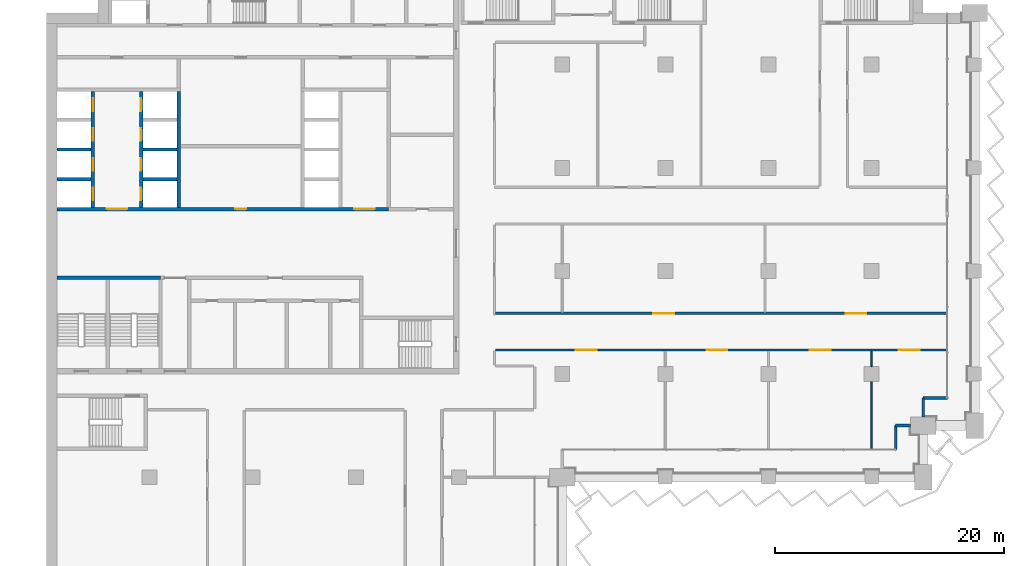
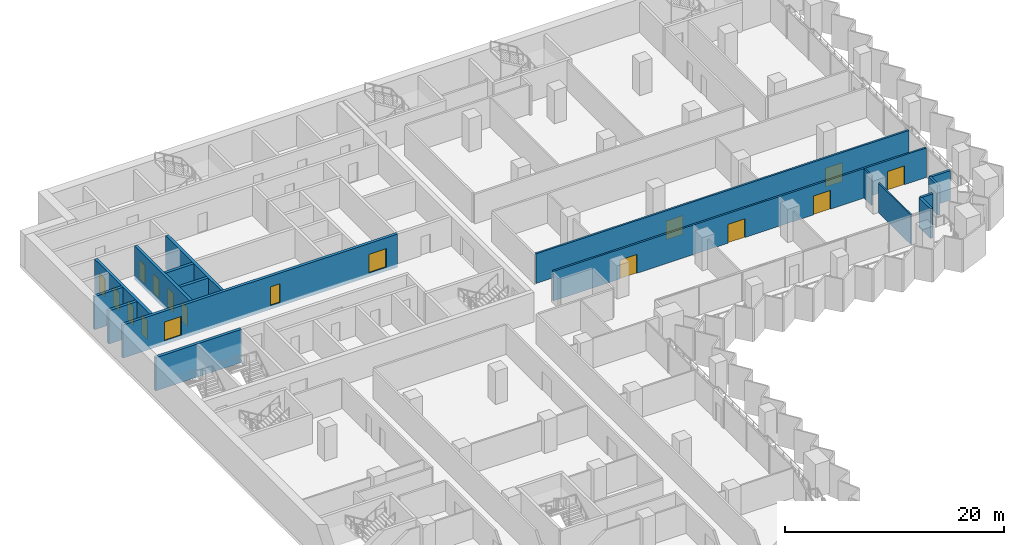
# One storey, part 12 of 23: 17 doors, 17 walls, 17 openings.
"""IFC4 building model written with IfcOpenShell, lengths in metres."""

import ifcopenshell
import ifcopenshell.guid

model = None  # the IFC model being written
_history = None  # IfcOwnerHistory: only IFC2X3 demands one
_inside = {}  # id of a spatial element -> (the spatial element, [elements in it])
_under = {}  # id of a project, library or spatial element -> (it, [spatial elements below it])
_declared = {}  # id of a project -> (the project, [libraries it declares])
_typed = {}  # id of a type object -> (the type object, [elements of that type])
_made_of = {}  # id of a material, layer set ... -> (it, [elements and type objects made of it])


def new_model(schema):
    """Start an empty IFC model of exactly this schema.

    Asked for "IFC4X3", IfcOpenShell would pick the latest addendum, in which some entities
    have other attributes; the version numbers below select the first issue.
    IFC2X3 requires an IfcOwnerHistory on every rooted entity: one is made here for all.
    """
    global model, _history
    if schema == "IFC4X3":
        model = ifcopenshell.file(schema_version=(4, 3, 0, 0))
    else:
        model = ifcopenshell.file(schema=schema)
    _inside.clear()
    _under.clear()
    _declared.clear()
    _typed.clear()
    _made_of.clear()
    _history = None
    if model.schema == "IFC2X3":
        org = make("IfcOrganization", Name="unknown")
        user = make(
            "IfcPersonAndOrganization",
            ThePerson=make("IfcPerson", FamilyName="unknown"),
            TheOrganization=org,
        )
        app = make(
            "IfcApplication",
            ApplicationDeveloper=org,
            Version="unknown",
            ApplicationFullName="unknown",
            ApplicationIdentifier="unknown",
        )
        _history = make(
            "IfcOwnerHistory",
            OwningUser=user,
            OwningApplication=app,
            ChangeAction="ADDED",
            CreationDate=0,
        )
    return model


def make(cls, **values):
    """One entity of the class cls with the attributes given. An attribute that is None is left unset."""
    return model.create_entity(
        cls, **{name: value for name, value in values.items() if value is not None}
    )


def rooted(cls, **values):
    """An entity with a GlobalId (a new one), such as an element, a storey or a relation."""
    return make(cls, GlobalId=ifcopenshell.guid.new(), OwnerHistory=_history, **values)


def si_unit(unit_type, name, prefix=None):
    """IfcSIUnit, for example si_unit("LENGTHUNIT", "METRE", prefix="MILLI")."""
    return make("IfcSIUnit", UnitType=unit_type, Prefix=prefix, Name=name)


def assignment(units):
    """IfcUnitAssignment: the units of a project."""
    return None if units is None else make("IfcUnitAssignment", Units=units)


def point(xyz):
    """IfcCartesianPoint."""
    return None if xyz is None else make("IfcCartesianPoint", Coordinates=xyz)


def direction(xyz):
    """IfcDirection."""
    return None if xyz is None else make("IfcDirection", DirectionRatios=xyz)


def frame(location, z_axis=None, x_axis=None):
    """IfcAxis2Placement3D, a coordinate frame: its origin and axes. An axis left out is left unset."""
    return make(
        "IfcAxis2Placement3D",
        Location=point(location),
        Axis=direction(z_axis),
        RefDirection=direction(x_axis),
    )


def frame_2d(location, x_axis=None):
    """IfcAxis2Placement2D, a coordinate frame in the plane: its origin and x axis."""
    return make(
        "IfcAxis2Placement2D", Location=point(location), RefDirection=direction(x_axis)
    )


def origin():
    """The frame at (0, 0, 0) with its axes left unset."""
    return frame((0.0, 0.0, 0.0))


def place(relative_to, where):
    """IfcLocalPlacement: puts the frame where relative to a parent placement (None: the world)."""
    return make(
        "IfcLocalPlacement", PlacementRelTo=relative_to, RelativePlacement=where
    )


def context(
    kind, dimensions, precision=None, world=None, true_north=None, identifier=None
):
    """IfcGeometricRepresentationContext, for example the 3D "Model" context."""
    return make(
        "IfcGeometricRepresentationContext",
        ContextIdentifier=identifier,
        ContextType=kind,
        CoordinateSpaceDimension=dimensions,
        Precision=precision,
        WorldCoordinateSystem=world,
        TrueNorth=true_north,
    )


def subcontext(parent, identifier, kind, view, scale=None):
    """IfcGeometricRepresentationSubContext, for example "Body" below "Model"."""
    return make(
        "IfcGeometricRepresentationSubContext",
        ContextIdentifier=identifier,
        ContextType=kind,
        ParentContext=parent,
        TargetScale=scale,
        TargetView=view,
    )


def project(units=None, contexts=None):
    """IfcProject with its units and contexts."""
    return rooted(
        "IfcProject",
        Name="project",
        RepresentationContexts=contexts,
        UnitsInContext=assignment(units),
    )


def spatial(cls, under=None, at=None, **own):
    """A site, building, storey or space (cls), placed at a placement, below another one or the project."""
    s = rooted(cls, ObjectPlacement=at, **own)
    if under is not None:
        _under.setdefault(under.id(), (under, []))[1].append(s)
    return s


def profile(cls, at=None, kind="AREA", **sizes):
    """A parametric profile (cls). Its sizes go by their IFC names, for example OverallWidth=200.0."""
    return make(cls, ProfileType=kind, Position=at, **sizes)


def rectangle(**sizes):
    """IfcRectangleProfileDef."""
    return profile("IfcRectangleProfileDef", **sizes)


def extrude(swept, where, along, depth):
    """IfcExtrudedAreaSolid: the profile swept, set in the frame where, extruded along a direction by depth."""
    return make(
        "IfcExtrudedAreaSolid",
        SweptArea=swept,
        Position=where,
        ExtrudedDirection=direction(along),
        Depth=depth,
    )


def shape(context_of_items, identifier, shape_type, items):
    """IfcShapeRepresentation: the items that make up one representation, for example the "Body"."""
    return make(
        "IfcShapeRepresentation",
        ContextOfItems=context_of_items,
        RepresentationIdentifier=identifier,
        RepresentationType=shape_type,
        Items=items,
    )


def material(Name=None, Category=None):
    """IfcMaterial."""
    return make("IfcMaterial", Name=Name, Category=Category)


def layer(
    of_material, thickness, ventilated=None, Name=None, Category=None, Priority=None
):
    """IfcMaterialLayer: one layer of a wall or slab, of a material (None: an air gap)."""
    return make(
        "IfcMaterialLayer",
        Material=of_material,
        LayerThickness=thickness,
        IsVentilated=ventilated,
        Name=Name,
        Category=Category,
        Priority=Priority,
    )


def layer_set(layers, Name=None):
    """IfcMaterialLayerSet."""
    return make("IfcMaterialLayerSet", MaterialLayers=layers, LayerSetName=Name)


def made_of(thing, what):
    """Note that an element or type object is made of a material, layer set ...; save() writes the relation."""
    if what is not None:
        _made_of.setdefault(what.id(), (what, []))[1].append(thing)
    return thing


def type_object(cls, material=None, **own):
    """A type object (cls), such as IfcWallType, which elements share."""
    return made_of(rooted(cls, **own), material)


def element(
    cls,
    number,
    at=None,
    inside=None,
    cuts=None,
    type_object=None,
    material=None,
    context=None,
    identifier="Body",
    shape_type=None,
    held_by="IfcProductDefinitionShape",
    body=None,
    shapes=None,
    **own,
):
    """One element of the class cls, such as IfcWall. Its Tag is "e" and its number.

    at: its placement. inside: the storey or other place that contains it. cuts: it is an
    opening in that element (IfcRelVoidsElement). A single representation is given by context,
    identifier, shape_type and body (its items); several are given by shapes. held_by: the class
    of the entity that holds the representations. save() writes the other relations.
    """
    e = rooted(cls, Tag="e%d" % number, ObjectPlacement=at, **own)
    if body is not None:
        shapes = [shape(context, identifier, shape_type, body)]
    if shapes is not None:
        e.Representation = make(held_by, Representations=shapes)
    if inside is not None:
        _inside.setdefault(inside.id(), (inside, []))[1].append(e)
    if cuts is not None:
        rooted(
            "IfcRelVoidsElement", RelatingBuildingElement=cuts, RelatedOpeningElement=e
        )
    if type_object is not None:
        _typed.setdefault(type_object.id(), (type_object, []))[1].append(e)
    return made_of(e, material)


def fill(opening, filler):
    """IfcRelFillsElement: the door or window that sits in an opening."""
    return rooted(
        "IfcRelFillsElement",
        RelatingOpeningElement=opening,
        RelatedBuildingElement=filler,
    )


def aggregate(whole, parts):
    """IfcRelAggregates: a whole, such as a stair, and the parts it consists of."""
    return rooted("IfcRelAggregates", RelatingObject=whole, RelatedObjects=parts)


def save(model, path):
    """Write the relations noted so far, then the file.

    IfcRelAggregates (storeys below a building ...), IfcRelContainedInSpatialStructure (elements
    in a storey), IfcRelDefinesByType, IfcRelAssociatesMaterial and IfcRelDeclares: one each for
    every whole, place, type object, material and project.
    """
    for whole, parts in _under.values():
        aggregate(whole, parts)
    for where, things in _inside.values():
        rooted(
            "IfcRelContainedInSpatialStructure",
            RelatedElements=things,
            RelatingStructure=where,
        )
    for kind, things in _typed.values():
        rooted("IfcRelDefinesByType", RelatedObjects=things, RelatingType=kind)
    for what, things in _made_of.values():
        rooted("IfcRelAssociatesMaterial", RelatedObjects=things, RelatingMaterial=what)
    for by, libraries in _declared.values():
        rooted("IfcRelDeclares", RelatingContext=by, RelatedDefinitions=libraries)
    model.write(path)


model = new_model("IFC4")

# Units and contexts
model_context = context("Model", 3, precision=1e-05, world=origin(), true_north=direction((0.0, 1.0)))
body_context = subcontext(model_context, "Body", "Model", "MODEL_VIEW")
ifc_project = project(units=[si_unit("LENGTHUNIT", "METRE"), si_unit("AREAUNIT", "SQUARE_METRE"), si_unit("VOLUMEUNIT", "CUBIC_METRE"), si_unit("PLANEANGLEUNIT", "RADIAN"), si_unit("MASSUNIT", "GRAM", prefix="KILO")], contexts=[model_context])

# Site, building, storey
site_placement = place(None, origin())
site = spatial("IfcSite", under=ifc_project, at=site_placement, CompositionType="ELEMENT")
building_placement = place(site_placement, origin())
building = spatial("IfcBuilding", under=site, at=building_placement, Name="Hunhe Ridgeline Campus", CompositionType="ELEMENT")
storey_placement = place(building_placement, frame((0.0, 0.0, 107.0)))
storey = spatial("IfcBuildingStorey", under=building, at=storey_placement, Name="L26", CompositionType="ELEMENT", Elevation=107.0)

# Walls
ifc_material_1 = material(Name="Concrete C30", Category="concrete")
ifc_layer_1 = layer(ifc_material_1, 0.25)
ifc_layer_set_1 = layer_set([ifc_layer_1], Name="Corner return wall 250 Concrete C30")
wall_type_1 = type_object("IfcWallType", Name="Corner return wall 250 Concrete C30", PredefinedType="SOLIDWALL", material=ifc_layer_set_1)
wall_1_placement = place(storey_placement, frame((74.09912109375, 56.40087890625, 0.0), z_axis=(0.0, 0.0, 1.0), x_axis=(0.00011626555, 0.999999993241, 0.0)))
element("IfcWall", 1, at=wall_1_placement, inside=storey, type_object=wall_type_1, Name="Corner return wall 4", PredefinedType="SOLIDWALL", context=body_context, shape_type="SweptSolid", body=[
    extrude(rectangle(XDim=2.099853515625, YDim=0.25, at=frame_2d((1.0498046875, 0.0))), origin(), (0.0, 0.0, 1.0), 3.300048828125),
])
wall_2_placement = place(storey_placement, frame((74.099365234375, 58.500732421875, 0.0), z_axis=(0.0, 0.0, 1.0), x_axis=(0.99999998238, 0.000187722918, 0.0)))
element("IfcWall", 2, at=wall_2_placement, inside=storey, type_object=wall_type_1, Name="Corner return wall 5", PredefinedType="SOLIDWALL", context=body_context, shape_type="SweptSolid", body=[
    extrude(rectangle(XDim=1.300537109375, YDim=0.25, at=frame_2d((0.650390625, 0.0))), origin(), (0.0, 0.0, 1.0), 3.300048828125),
])
wall_3_placement = place(storey_placement, frame((76.4990234375, 59.25, 0.0), z_axis=(0.0, 0.0, 1.0), x_axis=(0.000147907113, 0.999999989062, 0.0)))
element("IfcWall", 3, at=wall_3_placement, inside=storey, type_object=wall_type_1, Name="Corner return wall 6", PredefinedType="SOLIDWALL", context=body_context, shape_type="SweptSolid", body=[
    extrude(rectangle(XDim=1.650634765625, YDim=0.25, at=frame_2d((0.8251953125, 0.0))), origin(), (0.0, 0.0, 1.0), 3.300048828125),
])
wall_4_placement = place(storey_placement, frame((76.499267578125, 60.900634765625, 0.0), z_axis=(0.0, 0.0, 1.0), x_axis=(0.999999993241, 0.00011626555, 0.0)))
element("IfcWall", 4, at=wall_4_placement, inside=storey, type_object=wall_type_1, Name="Corner return wall 7", PredefinedType="SOLIDWALL", context=body_context, shape_type="SweptSolid", body=[
    extrude(rectangle(XDim=2.099853515625, YDim=0.25, at=frame_2d((1.0498046875, 0.0))), origin(), (0.0, 0.0, 1.0), 3.300048828125),
])

# Wall, openings, doors
ifc_material_2 = material(Name="Gypsum board partition")
ifc_layer_2 = layer(ifc_material_2, 0.199951171875)
ifc_layer_set_2 = layer_set([ifc_layer_2], Name="Corridor partition 200 gypsum board on steel studs")
wall_type_2 = type_object("IfcWallType", Name="Corridor partition 200 gypsum board on steel studs", PredefinedType="PARTITIONING", material=ifc_layer_set_2)
wall_5_placement = place(storey_placement, frame((78.544921875, 65.10009765625, 0.0), z_axis=(0.0, 0.0, 1.0), x_axis=(-1.0, 0.0, 0.0)))
wall_5 = element("IfcWall", 5, at=wall_5_placement, inside=storey, type_object=wall_type_2, Name="F-L26-wall-032", PredefinedType="PARTITIONING", context=body_context, shape_type="SweptSolid", body=[
    extrude(rectangle(XDim=39.344970703125, YDim=0.199951171875, at=frame_2d((19.67236328125, 0.0))), origin(), (0.0, 0.0, 1.0), 3.300048828125),
])
opening_1_placement = place(wall_5_placement, frame((30.552001953125, 0.0, 0.0)))
opening_1 = element("IfcOpeningElement", 6, at=opening_1_placement, cuts=wall_5, Name="Opening RD2-019", PredefinedType="OPENING", context=body_context, shape_type="SweptSolid", body=[
    extrude(rectangle(XDim=1.800048828125, YDim=2.10009765625, at=frame_2d((0.89990234375, 1.050048828125))), frame((0.0, 0.10009765625, 0.0), z_axis=(0.0, -1.0, 0.0), x_axis=(1.0, 0.0, 0.0)), (0.0, 0.0, 1.0), 0.199951171875),
])
opening_2_placement = place(wall_5_placement, frame((19.1484375, 0.0, 0.0)))
opening_2 = element("IfcOpeningElement", 7, at=opening_2_placement, cuts=wall_5, Name="Opening RD2-020", PredefinedType="OPENING", context=body_context, shape_type="SweptSolid", body=[
    extrude(rectangle(XDim=1.800048828125, YDim=2.10009765625, at=frame_2d((0.89990234375, 1.050048828125))), frame((0.0, 0.10009765625, 0.0), z_axis=(0.0, -1.0, 0.0), x_axis=(1.0, 0.0, 0.0)), (0.0, 0.0, 1.0), 0.199951171875),
])
opening_3_placement = place(wall_5_placement, frame((10.126708984375, 0.0, 0.0)))
opening_3 = element("IfcOpeningElement", 8, at=opening_3_placement, cuts=wall_5, Name="Opening RD2-021", PredefinedType="OPENING", context=body_context, shape_type="SweptSolid", body=[
    extrude(rectangle(XDim=1.800048828125, YDim=2.10009765625, at=frame_2d((0.89990234375, 1.050048828125))), frame((0.0, 0.10009765625, 0.0), z_axis=(0.0, -1.0, 0.0), x_axis=(1.0, 0.0, 0.0)), (0.0, 0.0, 1.0), 0.199951171875),
])
opening_4_placement = place(wall_5_placement, frame((2.35791015625, 0.0, 0.0)))
opening_4 = element("IfcOpeningElement", 9, at=opening_4_placement, cuts=wall_5, Name="Opening RD2-022", PredefinedType="OPENING", context=body_context, shape_type="SweptSolid", body=[
    extrude(rectangle(XDim=1.800048828125, YDim=2.10009765625, at=frame_2d((0.89990234375, 1.050048828125))), frame((0.0, 0.10009765625, 0.0), z_axis=(0.0, -1.0, 0.0), x_axis=(1.0, 0.0, 0.0)), (0.0, 0.0, 1.0), 0.199951171875),
])
ifc_material_3 = material(Name="Timber door leaf", Category="wood")
door_type_1 = type_object("IfcDoorType", Name="Double fire door 1800x2100 timber FD60", OperationType="DOUBLE_DOOR_SINGLE_SWING", PredefinedType="DOOR", material=ifc_material_3)
door_1_placement = place(opening_1_placement, origin())
door_1 = element("IfcDoor", 10, at=door_1_placement, inside=storey, type_object=door_type_1, Name="F-L26-door-019", OperationType="DOUBLE_DOOR_SINGLE_SWING", OverallHeight=2.10009765625, OverallWidth=1.800048828125, PredefinedType="DOOR", context=body_context, shape_type="SweptSolid", body=[
    extrude(rectangle(XDim=1.800048828125, YDim=2.10009765625, at=frame_2d((0.89990234375, 1.050048828125))), frame((0.0, 0.02490234375, 0.0), z_axis=(0.0, -1.0, 0.0), x_axis=(1.0, 0.0, 0.0)), (0.0, 0.0, 1.0), 0.050048828125),
])
fill(opening_1, door_1)
door_2_placement = place(opening_2_placement, origin())
door_2 = element("IfcDoor", 11, at=door_2_placement, inside=storey, type_object=door_type_1, Name="F-L26-door-020", OperationType="DOUBLE_DOOR_SINGLE_SWING", OverallHeight=2.10009765625, OverallWidth=1.800048828125, PredefinedType="DOOR", context=body_context, shape_type="SweptSolid", body=[
    extrude(rectangle(XDim=1.800048828125, YDim=2.10009765625, at=frame_2d((0.89990234375, 1.050048828125))), frame((0.0, 0.02490234375, 0.0), z_axis=(0.0, -1.0, 0.0), x_axis=(1.0, 0.0, 0.0)), (0.0, 0.0, 1.0), 0.050048828125),
])
fill(opening_2, door_2)
door_3_placement = place(opening_3_placement, origin())
door_3 = element("IfcDoor", 12, at=door_3_placement, inside=storey, type_object=door_type_1, Name="F-L26-door-021", OperationType="DOUBLE_DOOR_SINGLE_SWING", OverallHeight=2.10009765625, OverallWidth=1.800048828125, PredefinedType="DOOR", context=body_context, shape_type="SweptSolid", body=[
    extrude(rectangle(XDim=1.800048828125, YDim=2.10009765625, at=frame_2d((0.89990234375, 1.050048828125))), frame((0.0, 0.02490234375, 0.0), z_axis=(0.0, -1.0, 0.0), x_axis=(1.0, 0.0, 0.0)), (0.0, 0.0, 1.0), 0.050048828125),
])
fill(opening_3, door_3)
door_4_placement = place(opening_4_placement, origin())
door_4 = element("IfcDoor", 13, at=door_4_placement, inside=storey, type_object=door_type_1, Name="F-L26-door-022", OperationType="DOUBLE_DOOR_SINGLE_SWING", OverallHeight=2.10009765625, OverallWidth=1.800048828125, PredefinedType="DOOR", context=body_context, shape_type="SweptSolid", body=[
    extrude(rectangle(XDim=1.800048828125, YDim=2.10009765625, at=frame_2d((0.89990234375, 1.050048828125))), frame((0.0, 0.02490234375, 0.0), z_axis=(0.0, -1.0, 0.0), x_axis=(1.0, 0.0, 0.0)), (0.0, 0.0, 1.0), 0.050048828125),
])
fill(opening_4, door_4)

wall_6_placement = place(storey_placement, frame((39.199951171875, 68.300048828125, 0.0), z_axis=(0.0, 0.0, 1.0), x_axis=(1.0, 0.0, 0.0)))
wall_6 = element("IfcWall", 14, at=wall_6_placement, inside=storey, type_object=wall_type_2, Name="F-L26-wall-033", PredefinedType="PARTITIONING", context=body_context, shape_type="SweptSolid", body=[
    extrude(rectangle(XDim=39.344970703125, YDim=0.199951171875, at=frame_2d((19.67236328125, 0.0))), origin(), (0.0, 0.0, 1.0), 3.300048828125),
])
opening_5_placement = place(wall_6_placement, frame((13.760498046875, 0.0, 0.0)))
opening_5 = element("IfcOpeningElement", 15, at=opening_5_placement, cuts=wall_6, Name="Opening RD2-023", PredefinedType="OPENING", context=body_context, shape_type="SweptSolid", body=[
    extrude(rectangle(XDim=1.800048828125, YDim=2.10009765625, at=frame_2d((0.89990234375, 1.050048828125))), frame((0.0, 0.10009765625, 0.0), z_axis=(0.0, -1.0, 0.0), x_axis=(1.0, 0.0, 0.0)), (0.0, 0.0, 1.0), 0.199951171875),
])
opening_6_placement = place(wall_6_placement, frame((30.55078125, 0.0, 0.0)))
opening_6 = element("IfcOpeningElement", 16, at=opening_6_placement, cuts=wall_6, Name="Opening RD2-024", PredefinedType="OPENING", context=body_context, shape_type="SweptSolid", body=[
    extrude(rectangle(XDim=1.800048828125, YDim=2.10009765625, at=frame_2d((0.89990234375, 1.050048828125))), frame((0.0, 0.10009765625, 0.0), z_axis=(0.0, -1.0, 0.0), x_axis=(1.0, 0.0, 0.0)), (0.0, 0.0, 1.0), 0.199951171875),
])
door_5_placement = place(opening_5_placement, origin())
door_5 = element("IfcDoor", 17, at=door_5_placement, inside=storey, type_object=door_type_1, Name="F-L26-door-023", OperationType="DOUBLE_DOOR_SINGLE_SWING", OverallHeight=2.10009765625, OverallWidth=1.800048828125, PredefinedType="DOOR", context=body_context, shape_type="SweptSolid", body=[
    extrude(rectangle(XDim=1.800048828125, YDim=2.10009765625, at=frame_2d((0.89990234375, 1.050048828125))), frame((0.0, 0.02490234375, 0.0), z_axis=(0.0, -1.0, 0.0), x_axis=(1.0, 0.0, 0.0)), (0.0, 0.0, 1.0), 0.050048828125),
])
fill(opening_5, door_5)
door_6_placement = place(opening_6_placement, origin())
door_6 = element("IfcDoor", 18, at=door_6_placement, inside=storey, type_object=door_type_1, Name="F-L26-door-024", OperationType="DOUBLE_DOOR_SINGLE_SWING", OverallHeight=2.10009765625, OverallWidth=1.800048828125, PredefinedType="DOOR", context=body_context, shape_type="SweptSolid", body=[
    extrude(rectangle(XDim=1.800048828125, YDim=2.10009765625, at=frame_2d((0.89990234375, 1.050048828125))), frame((0.0, 0.02490234375, 0.0), z_axis=(0.0, -1.0, 0.0), x_axis=(1.0, 0.0, 0.0)), (0.0, 0.0, 1.0), 0.050048828125),
])
fill(opening_6, door_6)

# Walls
ifc_layer_3 = layer(ifc_material_2, 0.14990234375)
ifc_layer_set_3 = layer_set([ifc_layer_3], Name="Room partition 150 gypsum board on steel studs")
wall_type_3 = type_object("IfcWallType", Name="Room partition 150 gypsum board on steel studs", PredefinedType="PARTITIONING", material=ifc_layer_set_3)
wall_7_placement = place(storey_placement, frame((72.0, 62.35009765625, 0.0), z_axis=(0.0, 0.0, 1.0), x_axis=(0.0, -1.0, 0.0)))
element("IfcWall", 19, at=wall_7_placement, inside=storey, type_object=wall_type_3, Name="F-L26-wall-066", PredefinedType="PARTITIONING", context=body_context, shape_type="SweptSolid", body=[
    extrude(rectangle(XDim=5.89501953125, YDim=0.14990234375, at=frame_2d((2.947509765625, 0.0))), origin(), (0.0, 0.0, 1.0), 3.300048828125),
])
wall_8_placement = place(storey_placement, frame((72.0, 65.0, 0.0), z_axis=(0.0, 0.0, 1.0), x_axis=(0.0, -1.0, 0.0)))
element("IfcWall", 20, at=wall_8_placement, inside=storey, type_object=wall_type_3, Name="F-L26-wall-067", PredefinedType="PARTITIONING", context=body_context, shape_type="SweptSolid", body=[
    extrude(rectangle(XDim=1.35009765625, YDim=0.14990234375, at=frame_2d((0.675048828125, 0.0))), origin(), (0.0, 0.0, 1.0), 3.300048828125),
])

# Wall, openings, doors
ifc_material_4 = material(Name="Concrete C80", Category="concrete")
ifc_layer_4 = layer(ifc_material_4, 0.300048828125)
ifc_layer_set_4 = layer_set([ifc_layer_4], Name="Shaft wall 300 reinforced concrete C80")
wall_type_4 = type_object("IfcWallType", Name="Shaft wall 300 reinforced concrete C80", PredefinedType="SOLIDWALL", material=ifc_layer_set_4)
wall_9_placement = place(storey_placement, frame((0.89990234375, 77.39990234375, -0.39990234375), z_axis=(0.0, 0.0, 1.0), x_axis=(1.0, 0.0, 0.0)))
wall_9 = element("IfcWall", 21, at=wall_9_placement, inside=storey, type_object=wall_type_4, Name="L26 core wall 12", PredefinedType="SOLIDWALL", context=body_context, shape_type="SweptSolid", body=[
    extrude(rectangle(XDim=28.9501953125, YDim=0.300048828125, at=frame_2d((14.47509765625, 0.0))), origin(), (0.0, 0.0, 1.0), 3.699951171875),
])
opening_7_placement = place(wall_9_placement, frame((4.35009765625, 0.0, 0.39990234375)))
opening_7 = element("IfcOpeningElement", 22, at=opening_7_placement, cuts=wall_9, Name="Opening CD1", PredefinedType="OPENING", context=body_context, shape_type="SweptSolid", body=[
    extrude(rectangle(XDim=1.800048828125, YDim=2.10009765625, at=frame_2d((0.89990234375, 1.050048828125))), frame((0.0, 0.14990234375, 0.0), z_axis=(0.0, -1.0, 0.0), x_axis=(1.0, 0.0, 0.0)), (0.0, 0.0, 1.0), 0.300048828125),
])
opening_8_placement = place(wall_9_placement, frame((25.949951171875, 0.0, 0.39990234375)))
opening_8 = element("IfcOpeningElement", 23, at=opening_8_placement, cuts=wall_9, Name="Opening CD2", PredefinedType="OPENING", context=body_context, shape_type="SweptSolid", body=[
    extrude(rectangle(XDim=1.800048828125, YDim=2.10009765625, at=frame_2d((0.89990234375, 1.050048828125))), frame((0.0, 0.14990234375, 0.0), z_axis=(0.0, -1.0, 0.0), x_axis=(1.0, 0.0, 0.0)), (0.0, 0.0, 1.0), 0.300048828125),
])
opening_9_placement = place(wall_9_placement, frame((15.550048828125, 0.0, 0.39990234375)))
opening_9 = element("IfcOpeningElement", 24, at=opening_9_placement, cuts=wall_9, Name="Opening CD28", PredefinedType="OPENING", context=body_context, shape_type="SweptSolid", body=[
    extrude(rectangle(XDim=1.0, YDim=2.10009765625, at=frame_2d((0.5, 1.050048828125))), frame((0.0, 0.14990234375, 0.0), z_axis=(0.0, -1.0, 0.0), x_axis=(1.0, 0.0, 0.0)), (0.0, 0.0, 1.0), 0.300048828125),
])
ifc_material_5 = material(Name="Hollow metal fire door leaf")
door_type_2 = type_object("IfcDoorType", Name="Lobby door 1800x2100 FD60", OperationType="SINGLE_SWING_LEFT", PredefinedType="DOOR", material=ifc_material_5)
door_7_placement = place(opening_7_placement, frame((1.800048828125, 0.0, 0.0), z_axis=(0.0, 0.0, 1.0), x_axis=(-1.0, 0.0, 0.0)))
door_7 = element("IfcDoor", 25, at=door_7_placement, inside=storey, type_object=door_type_2, Name="L26 door LOB-LR", OperationType="SINGLE_SWING_RIGHT", OverallHeight=2.10009765625, OverallWidth=1.800048828125, PredefinedType="DOOR", context=body_context, shape_type="SweptSolid", body=[
    extrude(rectangle(XDim=1.800048828125, YDim=2.10009765625, at=frame_2d((0.89990234375, 1.050048828125))), frame((0.0, 0.02490234375, 0.0), z_axis=(0.0, -1.0, 0.0), x_axis=(1.0, 0.0, 0.0)), (0.0, 0.0, 1.0), 0.050048828125),
])
fill(opening_7, door_7)
door_8_placement = place(opening_8_placement, frame((1.800048828125, 0.0, 0.0), z_axis=(0.0, 0.0, 1.0), x_axis=(-1.0, 0.0, 0.0)))
door_8 = element("IfcDoor", 26, at=door_8_placement, inside=storey, type_object=door_type_2, Name="L26 door LOB-SH", OperationType="SINGLE_SWING_LEFT", OverallHeight=2.10009765625, OverallWidth=1.800048828125, PredefinedType="DOOR", context=body_context, shape_type="SweptSolid", body=[
    extrude(rectangle(XDim=1.800048828125, YDim=2.10009765625, at=frame_2d((0.89990234375, 1.050048828125))), frame((0.0, 0.02490234375, 0.0), z_axis=(0.0, -1.0, 0.0), x_axis=(1.0, 0.0, 0.0)), (0.0, 0.0, 1.0), 0.050048828125),
])
fill(opening_8, door_8)
ifc_material_6 = material(Name="Solid core timber door leaf", Category="wood")
door_type_3 = type_object("IfcDoorType", Name="Timber door 1000x2100", OperationType="SINGLE_SWING_LEFT", PredefinedType="DOOR", material=ifc_material_6)
door_9_placement = place(opening_9_placement, origin())
door_9 = element("IfcDoor", 27, at=door_9_placement, inside=storey, type_object=door_type_3, Name="L26 door VD-HR0", OperationType="SINGLE_SWING_LEFT", OverallHeight=2.10009765625, OverallWidth=1.0, PredefinedType="DOOR", context=body_context, shape_type="SweptSolid", body=[
    extrude(rectangle(XDim=1.0, YDim=2.10009765625, at=frame_2d((0.5, 1.050048828125))), frame((0.0, 0.02490234375, 0.0), z_axis=(0.0, -1.0, 0.0), x_axis=(1.0, 0.0, 0.0)), (0.0, 0.0, 1.0), 0.050048828125),
])
fill(opening_9, door_9)

# Walls
for number, where, z_axis, x_axis, name in (
    (28, (0.89990234375, 80.0, -0.39990234375), (0.0, 0.0, 1.0), (1.0, 0.0, 0.0), "L26 core wall 14"),
    (29, (8.39990234375, 80.0, -0.39990234375), (0.0, 0.0, 1.0), (1.0, 0.0, 0.0), "L26 core wall 15"),
    (30, (0.89990234375, 82.60009765625, -0.39990234375), (0.0, 0.0, 1.0), (1.0, 0.0, 0.0), "L26 core wall 17"),
    (31, (8.39990234375, 82.60009765625, -0.39990234375), (0.0, 0.0, 1.0), (1.0, 0.0, 0.0), "L26 core wall 18"),
):
    element("IfcWall", number, at=place(storey_placement, frame(where, z_axis=z_axis, x_axis=x_axis)), inside=storey, type_object=wall_type_4, Name=name, PredefinedType="SOLIDWALL", context=body_context, shape_type="SweptSolid", body=[
        extrude(rectangle(XDim=3.0, YDim=0.300048828125, at=frame_2d((1.5, 0.0))), origin(), (0.0, 0.0, 1.0), 3.699951171875),
    ])

# Wall, openings, doors
wall_10_placement = place(storey_placement, frame((4.050048828125, 77.550048828125, -0.39990234375), z_axis=(0.0, 0.0, 1.0), x_axis=(0.0, 1.0, 0.0)))
wall_10 = element("IfcWall", 32, at=wall_10_placement, inside=storey, type_object=wall_type_4, Name="L26 core wall 33", PredefinedType="SOLIDWALL", context=body_context, shape_type="SweptSolid", body=[
    extrude(rectangle(XDim=10.099853515625, YDim=0.300048828125, at=frame_2d((5.0498046875, 0.0))), origin(), (0.0, 0.0, 1.0), 3.699951171875),
])
opening_10_placement = place(wall_10_placement, frame((0.60009765625, 0.0, 0.39990234375)))
opening_10 = element("IfcOpeningElement", 33, at=opening_10_placement, cuts=wall_10, Name="Opening LD-LR1", PredefinedType="OPENING", context=body_context, shape_type="SweptSolid", body=[
    extrude(rectangle(XDim=1.10009765625, YDim=2.10009765625, at=frame_2d((0.550048828125, 1.050048828125))), frame((0.0, 0.14990234375, 0.0), z_axis=(0.0, -1.0, 0.0), x_axis=(1.0, 0.0, 0.0)), (0.0, 0.0, 1.0), 0.300048828125),
])
opening_11_placement = place(wall_10_placement, frame((3.199951171875, 0.0, 0.39990234375)))
opening_11 = element("IfcOpeningElement", 34, at=opening_11_placement, cuts=wall_10, Name="Opening LD-LR2", PredefinedType="OPENING", context=body_context, shape_type="SweptSolid", body=[
    extrude(rectangle(XDim=1.10009765625, YDim=2.10009765625, at=frame_2d((0.550048828125, 1.050048828125))), frame((0.0, 0.14990234375, 0.0), z_axis=(0.0, -1.0, 0.0), x_axis=(1.0, 0.0, 0.0)), (0.0, 0.0, 1.0), 0.300048828125),
])
opening_12_placement = place(wall_10_placement, frame((5.800048828125, 0.0, 0.39990234375)))
opening_12 = element("IfcOpeningElement", 35, at=opening_12_placement, cuts=wall_10, Name="Opening LD-LR3", PredefinedType="OPENING", context=body_context, shape_type="SweptSolid", body=[
    extrude(rectangle(XDim=1.10009765625, YDim=2.10009765625, at=frame_2d((0.550048828125, 1.050048828125))), frame((0.0, 0.14990234375, 0.0), z_axis=(0.0, -1.0, 0.0), x_axis=(1.0, 0.0, 0.0)), (0.0, 0.0, 1.0), 0.300048828125),
])
opening_13_placement = place(wall_10_placement, frame((8.39990234375, 0.0, 0.39990234375)))
opening_13 = element("IfcOpeningElement", 36, at=opening_13_placement, cuts=wall_10, Name="Opening LD-LR4", PredefinedType="OPENING", context=body_context, shape_type="SweptSolid", body=[
    extrude(rectangle(XDim=1.10009765625, YDim=2.10009765625, at=frame_2d((0.550048828125, 1.050048828125))), frame((0.0, 0.14990234375, 0.0), z_axis=(0.0, -1.0, 0.0), x_axis=(1.0, 0.0, 0.0)), (0.0, 0.0, 1.0), 0.300048828125),
])
ifc_material_7 = material(Name="Stainless steel sliding leaves", Category="steel")
door_type_4 = type_object("IfcDoorType", Name="Landing door 1100x2100 FD120", OperationType="SLIDING_TO_LEFT", PredefinedType="DOOR", material=ifc_material_7)
door_10_placement = place(opening_10_placement, origin())
door_10 = element("IfcDoor", 37, at=door_10_placement, inside=storey, type_object=door_type_4, Name="L26 landing door LR1", OperationType="SLIDING_TO_RIGHT", OverallHeight=2.10009765625, OverallWidth=1.10009765625, PredefinedType="DOOR", context=body_context, shape_type="SweptSolid", body=[
    extrude(rectangle(XDim=1.10009765625, YDim=2.10009765625, at=frame_2d((0.550048828125, 1.050048828125))), frame((0.0, 0.02490234375, 0.0), z_axis=(0.0, -1.0, 0.0), x_axis=(1.0, 0.0, 0.0)), (0.0, 0.0, 1.0), 0.050048828125),
])
fill(opening_10, door_10)
door_11_placement = place(opening_11_placement, origin())
door_11 = element("IfcDoor", 38, at=door_11_placement, inside=storey, type_object=door_type_4, Name="L26 landing door LR2", OperationType="SLIDING_TO_LEFT", OverallHeight=2.10009765625, OverallWidth=1.10009765625, PredefinedType="DOOR", context=body_context, shape_type="SweptSolid", body=[
    extrude(rectangle(XDim=1.10009765625, YDim=2.10009765625, at=frame_2d((0.550048828125, 1.050048828125))), frame((0.0, 0.02490234375, 0.0), z_axis=(0.0, -1.0, 0.0), x_axis=(1.0, 0.0, 0.0)), (0.0, 0.0, 1.0), 0.050048828125),
])
fill(opening_11, door_11)
door_12_placement = place(opening_12_placement, origin())
door_12 = element("IfcDoor", 39, at=door_12_placement, inside=storey, type_object=door_type_4, Name="L26 landing door LR3", OperationType="SLIDING_TO_RIGHT", OverallHeight=2.10009765625, OverallWidth=1.10009765625, PredefinedType="DOOR", context=body_context, shape_type="SweptSolid", body=[
    extrude(rectangle(XDim=1.10009765625, YDim=2.10009765625, at=frame_2d((0.550048828125, 1.050048828125))), frame((0.0, 0.02490234375, 0.0), z_axis=(0.0, -1.0, 0.0), x_axis=(1.0, 0.0, 0.0)), (0.0, 0.0, 1.0), 0.050048828125),
])
fill(opening_12, door_12)
door_13_placement = place(opening_13_placement, origin())
door_13 = element("IfcDoor", 40, at=door_13_placement, inside=storey, type_object=door_type_4, Name="L26 landing door LR4", OperationType="SLIDING_TO_LEFT", OverallHeight=2.10009765625, OverallWidth=1.10009765625, PredefinedType="DOOR", context=body_context, shape_type="SweptSolid", body=[
    extrude(rectangle(XDim=1.10009765625, YDim=2.10009765625, at=frame_2d((0.550048828125, 1.050048828125))), frame((0.0, 0.02490234375, 0.0), z_axis=(0.0, -1.0, 0.0), x_axis=(1.0, 0.0, 0.0)), (0.0, 0.0, 1.0), 0.050048828125),
])
fill(opening_13, door_13)

wall_11_placement = place(storey_placement, frame((8.25, 77.550048828125, -0.39990234375), z_axis=(0.0, 0.0, 1.0), x_axis=(0.0, 1.0, 0.0)))
wall_11 = element("IfcWall", 41, at=wall_11_placement, inside=storey, type_object=wall_type_4, Name="L26 core wall 36", PredefinedType="SOLIDWALL", context=body_context, shape_type="SweptSolid", body=[
    extrude(rectangle(XDim=10.099853515625, YDim=0.300048828125, at=frame_2d((5.0498046875, 0.0))), origin(), (0.0, 0.0, 1.0), 3.699951171875),
])
opening_14_placement = place(wall_11_placement, frame((0.60009765625, 0.0, 0.39990234375)))
opening_14 = element("IfcOpeningElement", 42, at=opening_14_placement, cuts=wall_11, Name="Opening LD-LR5", PredefinedType="OPENING", context=body_context, shape_type="SweptSolid", body=[
    extrude(rectangle(XDim=1.10009765625, YDim=2.10009765625, at=frame_2d((0.550048828125, 1.050048828125))), frame((0.0, 0.14990234375, 0.0), z_axis=(0.0, -1.0, 0.0), x_axis=(1.0, 0.0, 0.0)), (0.0, 0.0, 1.0), 0.300048828125),
])
opening_15_placement = place(wall_11_placement, frame((3.199951171875, 0.0, 0.39990234375)))
opening_15 = element("IfcOpeningElement", 43, at=opening_15_placement, cuts=wall_11, Name="Opening LD-LR6", PredefinedType="OPENING", context=body_context, shape_type="SweptSolid", body=[
    extrude(rectangle(XDim=1.10009765625, YDim=2.10009765625, at=frame_2d((0.550048828125, 1.050048828125))), frame((0.0, 0.14990234375, 0.0), z_axis=(0.0, -1.0, 0.0), x_axis=(1.0, 0.0, 0.0)), (0.0, 0.0, 1.0), 0.300048828125),
])
opening_16_placement = place(wall_11_placement, frame((5.800048828125, 0.0, 0.39990234375)))
opening_16 = element("IfcOpeningElement", 44, at=opening_16_placement, cuts=wall_11, Name="Opening LD-LR7", PredefinedType="OPENING", context=body_context, shape_type="SweptSolid", body=[
    extrude(rectangle(XDim=1.10009765625, YDim=2.10009765625, at=frame_2d((0.550048828125, 1.050048828125))), frame((0.0, 0.14990234375, 0.0), z_axis=(0.0, -1.0, 0.0), x_axis=(1.0, 0.0, 0.0)), (0.0, 0.0, 1.0), 0.300048828125),
])
opening_17_placement = place(wall_11_placement, frame((8.39990234375, 0.0, 0.39990234375)))
opening_17 = element("IfcOpeningElement", 45, at=opening_17_placement, cuts=wall_11, Name="Opening LD-LR8", PredefinedType="OPENING", context=body_context, shape_type="SweptSolid", body=[
    extrude(rectangle(XDim=1.10009765625, YDim=2.10009765625, at=frame_2d((0.550048828125, 1.050048828125))), frame((0.0, 0.14990234375, 0.0), z_axis=(0.0, -1.0, 0.0), x_axis=(1.0, 0.0, 0.0)), (0.0, 0.0, 1.0), 0.300048828125),
])
door_14_placement = place(opening_14_placement, origin())
door_14 = element("IfcDoor", 46, at=door_14_placement, inside=storey, type_object=door_type_4, Name="L26 landing door LR5", OperationType="SLIDING_TO_RIGHT", OverallHeight=2.10009765625, OverallWidth=1.10009765625, PredefinedType="DOOR", context=body_context, shape_type="SweptSolid", body=[
    extrude(rectangle(XDim=1.10009765625, YDim=2.10009765625, at=frame_2d((0.550048828125, 1.050048828125))), frame((0.0, 0.02490234375, 0.0), z_axis=(0.0, -1.0, 0.0), x_axis=(1.0, 0.0, 0.0)), (0.0, 0.0, 1.0), 0.050048828125),
])
fill(opening_14, door_14)
door_15_placement = place(opening_15_placement, origin())
door_15 = element("IfcDoor", 47, at=door_15_placement, inside=storey, type_object=door_type_4, Name="L26 landing door LR6", OperationType="SLIDING_TO_LEFT", OverallHeight=2.10009765625, OverallWidth=1.10009765625, PredefinedType="DOOR", context=body_context, shape_type="SweptSolid", body=[
    extrude(rectangle(XDim=1.10009765625, YDim=2.10009765625, at=frame_2d((0.550048828125, 1.050048828125))), frame((0.0, 0.02490234375, 0.0), z_axis=(0.0, -1.0, 0.0), x_axis=(1.0, 0.0, 0.0)), (0.0, 0.0, 1.0), 0.050048828125),
])
fill(opening_15, door_15)
door_16_placement = place(opening_16_placement, origin())
door_16 = element("IfcDoor", 48, at=door_16_placement, inside=storey, type_object=door_type_4, Name="L26 landing door LR7", OperationType="SLIDING_TO_RIGHT", OverallHeight=2.10009765625, OverallWidth=1.10009765625, PredefinedType="DOOR", context=body_context, shape_type="SweptSolid", body=[
    extrude(rectangle(XDim=1.10009765625, YDim=2.10009765625, at=frame_2d((0.550048828125, 1.050048828125))), frame((0.0, 0.02490234375, 0.0), z_axis=(0.0, -1.0, 0.0), x_axis=(1.0, 0.0, 0.0)), (0.0, 0.0, 1.0), 0.050048828125),
])
fill(opening_16, door_16)
door_17_placement = place(opening_17_placement, origin())
door_17 = element("IfcDoor", 49, at=door_17_placement, inside=storey, type_object=door_type_4, Name="L26 landing door LR8", OperationType="SLIDING_TO_LEFT", OverallHeight=2.10009765625, OverallWidth=1.10009765625, PredefinedType="DOOR", context=body_context, shape_type="SweptSolid", body=[
    extrude(rectangle(XDim=1.10009765625, YDim=2.10009765625, at=frame_2d((0.550048828125, 1.050048828125))), frame((0.0, 0.02490234375, 0.0), z_axis=(0.0, -1.0, 0.0), x_axis=(1.0, 0.0, 0.0)), (0.0, 0.0, 1.0), 0.050048828125),
])
fill(opening_17, door_17)

# Walls
wall_12_placement = place(storey_placement, frame((11.550048828125, 77.550048828125, -0.39990234375), z_axis=(0.0, 0.0, 1.0), x_axis=(0.0, 1.0, 0.0)))
element("IfcWall", 50, at=wall_12_placement, inside=storey, type_object=wall_type_4, Name="L26 core wall 41", PredefinedType="SOLIDWALL", context=body_context, shape_type="SweptSolid", body=[
    extrude(rectangle(XDim=10.099853515625, YDim=0.300048828125, at=frame_2d((5.0498046875, 0.0))), origin(), (0.0, 0.0, 1.0), 3.699951171875),
])
ifc_layer_5 = layer(ifc_material_4, 0.300048828125)
ifc_layer_set_5 = layer_set([ifc_layer_5], Name="Stair wall 300 reinforced concrete C80")
wall_type_5 = type_object("IfcWallType", Name="Stair wall 300 reinforced concrete C80", PredefinedType="SOLIDWALL", material=ifc_layer_set_5)
wall_13_placement = place(storey_placement, frame((0.89990234375, 71.39990234375, -0.39990234375), z_axis=(0.0, 0.0, 1.0), x_axis=(1.0, 0.0, 0.0)))
element("IfcWall", 51, at=wall_13_placement, inside=storey, type_object=wall_type_5, Name="L26 core wall 10", PredefinedType="SOLIDWALL", context=body_context, shape_type="SweptSolid", body=[
    extrude(rectangle(XDim=9.050048828125, YDim=0.300048828125, at=frame_2d((4.52490234375, 0.0))), origin(), (0.0, 0.0, 1.0), 3.699951171875),
])

save(model, "model.ifc")
